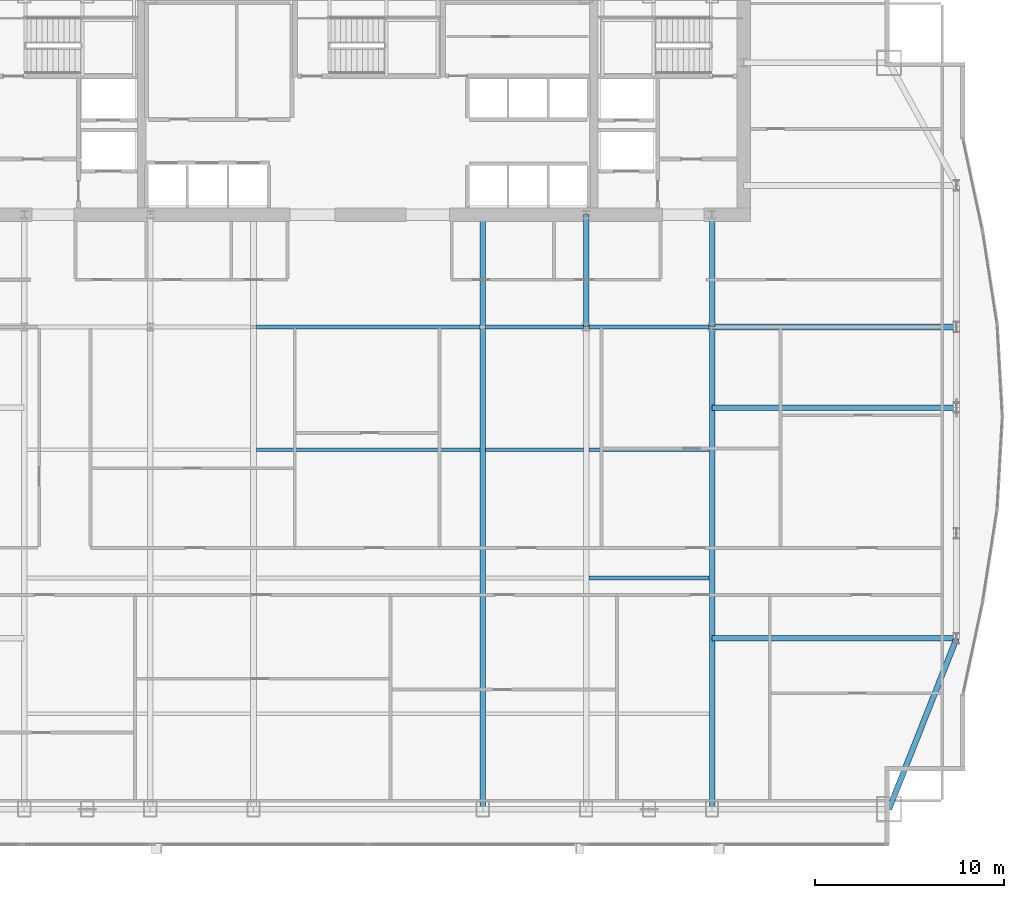
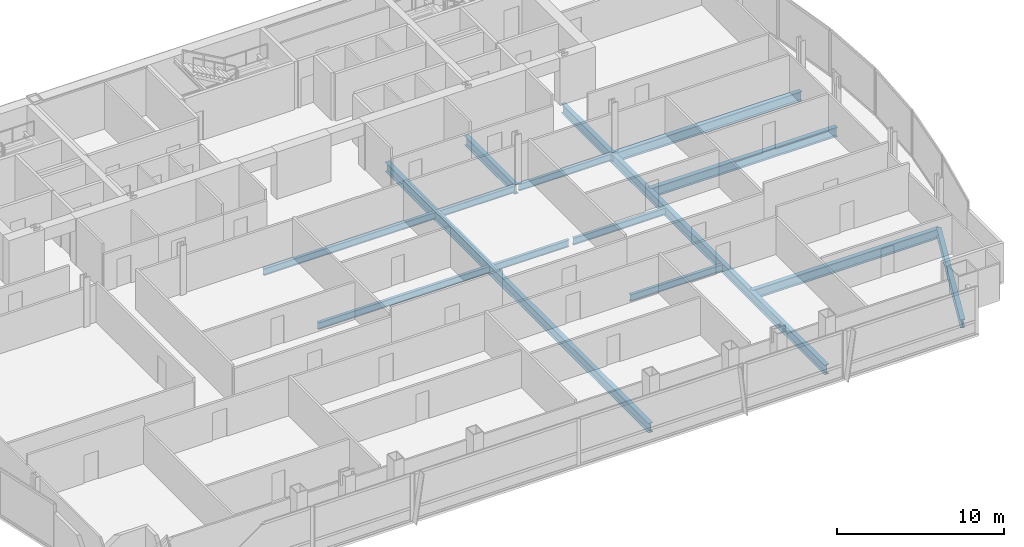
# One storey, part 16 of 29: 15 beams.
"""IFC4 building model written with IfcOpenShell, lengths in metres."""

from ifc_helpers import new_model, si_unit, direction, frame, origin, origin_2d, place, context, subcontext, project, spatial, i_section, extrude, material, material_profile, profile_set, type_object, element, save


model = new_model("IFC4")

# Units and contexts
model_context = context("Model", 3, precision=1e-05, world=origin(), true_north=direction((0.0, 1.0)))
body_context = subcontext(model_context, "Body", "Model", "MODEL_VIEW")
ifc_project = project(units=[si_unit("LENGTHUNIT", "METRE"), si_unit("AREAUNIT", "SQUARE_METRE"), si_unit("VOLUMEUNIT", "CUBIC_METRE"), si_unit("PLANEANGLEUNIT", "RADIAN"), si_unit("MASSUNIT", "GRAM", prefix="KILO")], contexts=[model_context])

# Site, building, storey
site_placement = place(None, origin())
site = spatial("IfcSite", under=ifc_project, at=site_placement, CompositionType="ELEMENT")
building_placement = place(site_placement, origin())
building = spatial("IfcBuilding", under=site, at=building_placement, Name="Khoronbel Lancet Exchange", CompositionType="ELEMENT")
storey_placement = place(building_placement, frame((0.0, 0.0, 165.0)))
storey = spatial("IfcBuildingStorey", under=building, at=storey_placement, Name="L41", CompositionType="ELEMENT", Elevation=165.0)

# Beams
ifc_material = material(Name="Steel S355", Category="steel")
ifc_material_profile_1 = material_profile(ifc_material, i_section(OverallWidth=0.300048828125, OverallDepth=0.699951171875, WebThickness=0.01708984375, FlangeThickness=0.031982421875, at=origin_2d()), Name="HEB 700")
ifc_profile_set_1 = profile_set([ifc_material_profile_1], Name="Steel S355")
beam_type_1 = type_object("IfcBeamType", Name="BM-BG3", PredefinedType="BEAM", material=ifc_profile_set_1)
beam_1_placement = place(storey_placement, frame((42.52490234375, 10.14990234375, -0.510009765625), z_axis=(0.0, 1.0, 0.0), x_axis=(-1.0, 0.0, 0.0)))
element("IfcBeam", 1, at=beam_1_placement, inside=storey, type_object=beam_type_1, Name="Level L41 primary floor girder G4", PredefinedType="BEAM", context=body_context, shape_type="SweptSolid", body=[
    extrude(i_section(OverallWidth=0.300048828125, OverallDepth=0.699951171875, WebThickness=0.01708984375, FlangeThickness=0.031982421875, at=origin_2d()), origin(), (0.0, 0.0, 1.0), 31.5),
])
beam_2_placement = place(storey_placement, frame((48.0, 35.699951171875, -0.510009765625), z_axis=(0.0, 1.0, 0.0), x_axis=(-1.0, 0.0, 0.0)))
element("IfcBeam", 2, at=beam_2_placement, inside=storey, type_object=beam_type_1, Name="Level L41 spine tie girder GN5", PredefinedType="BEAM", context=body_context, shape_type="SweptSolid", body=[
    extrude(i_section(OverallWidth=0.300048828125, OverallDepth=0.699951171875, WebThickness=0.01708984375, FlangeThickness=0.031982421875, at=origin_2d()), origin(), (0.0, 0.0, 1.0), 5.949951171875),
])
beam_3_placement = place(storey_placement, frame((54.675048828125, 10.14990234375, -0.510009765625), z_axis=(0.0, 1.0, 0.0), x_axis=(-1.0, 0.0, 0.0)))
element("IfcBeam", 3, at=beam_3_placement, inside=storey, type_object=beam_type_1, Name="Level L41 south primary girder GS6", PredefinedType="BEAM", context=body_context, shape_type="SweptSolid", body=[
    extrude(i_section(OverallWidth=0.300048828125, OverallDepth=0.699951171875, WebThickness=0.01708984375, FlangeThickness=0.031982421875, at=origin_2d()), origin(), (0.0, 0.0, 1.0), 25.550048828125),
])
beam_4_placement = place(storey_placement, frame((54.675048828125, 35.699951171875, -0.510009765625), z_axis=(0.0, 1.0, 0.0), x_axis=(-1.0, 0.0, 0.0)))
element("IfcBeam", 4, at=beam_4_placement, inside=storey, type_object=beam_type_1, Name="Level L41 spine tie girder GN6", PredefinedType="BEAM", context=body_context, shape_type="SweptSolid", body=[
    extrude(i_section(OverallWidth=0.300048828125, OverallDepth=0.699951171875, WebThickness=0.01708984375, FlangeThickness=0.031982421875, at=origin_2d()), origin(), (0.0, 0.0, 1.0), 5.949951171875),
])
for number, where, z_axis, x_axis, name in (
    (5, (54.675048828125, 19.199951171875, -0.510009765625), (1.0, 0.0, 0.0), (0.0, 1.0, 0.0), "Level L41 east lens tie girder LG1E"),
    (6, (54.675048828125, 31.425048828125, -0.510009765625), (1.0, 0.0, 0.0), (0.0, 1.0, 0.0), "Level L41 east lens tie girder LG2E"),
    (7, (54.675048828125, 35.699951171875, -0.510009765625), (1.0, 0.0, 0.0), (0.0, 1.0, 0.0), "Level L41 east lens tie girder LG4E"),
):
    element("IfcBeam", number, at=place(storey_placement, frame(where, z_axis=z_axis, x_axis=x_axis)), inside=storey, type_object=beam_type_1, Name=name, PredefinedType="BEAM", context=body_context, shape_type="SweptSolid", body=[
        extrude(i_section(OverallWidth=0.300048828125, OverallDepth=0.699951171875, WebThickness=0.01708984375, FlangeThickness=0.031982421875, at=origin_2d()), origin(), (0.0, 0.0, 1.0), 12.954833984375),
    ])
ifc_material_profile_2 = material_profile(ifc_material, i_section(OverallWidth=0.199951171875, OverallDepth=0.5, WebThickness=0.01025390625, FlangeThickness=0.01611328125, at=origin_2d()), Name="IPE 500")
ifc_profile_set_2 = profile_set([ifc_material_profile_2], Name="Steel S355")
beam_type_2 = type_object("IfcBeamType", Name="BM-BJ3", PredefinedType="JOIST", material=ifc_profile_set_2)
beam_5_placement = place(storey_placement, frame((48.14990234375, 22.39990234375, -0.409912109375), z_axis=(1.0, 0.0, 0.0), x_axis=(0.0, 1.0, 0.0)))
element("IfcBeam", 8, at=beam_5_placement, inside=storey, type_object=beam_type_2, Name="Level L41 secondary composite joist J10", PredefinedType="JOIST", context=body_context, shape_type="SweptSolid", body=[
    extrude(i_section(OverallWidth=0.199951171875, OverallDepth=0.5, WebThickness=0.01025390625, FlangeThickness=0.01611328125, at=origin_2d()), origin(), (0.0, 0.0, 1.0), 6.375),
])
beam_6_placement = place(storey_placement, frame((30.52490234375, 29.199951171875, -0.409912109375), z_axis=(1.0, 0.0, 0.0), x_axis=(0.0, 1.0, 0.0)))
element("IfcBeam", 9, at=beam_6_placement, inside=storey, type_object=beam_type_2, Name="Level L41 secondary composite joist J13", PredefinedType="JOIST", context=body_context, shape_type="SweptSolid", body=[
    extrude(i_section(OverallWidth=0.199951171875, OverallDepth=0.5, WebThickness=0.01025390625, FlangeThickness=0.01611328125, at=origin_2d()), origin(), (0.0, 0.0, 1.0), 11.85009765625),
])
beam_7_placement = place(storey_placement, frame((42.675048828125, 29.199951171875, -0.409912109375), z_axis=(1.0, 0.0, 0.0), x_axis=(0.0, 1.0, 0.0)))
element("IfcBeam", 10, at=beam_7_placement, inside=storey, type_object=beam_type_2, Name="Level L41 secondary composite joist J14", PredefinedType="JOIST", context=body_context, shape_type="SweptSolid", body=[
    extrude(i_section(OverallWidth=0.199951171875, OverallDepth=0.5, WebThickness=0.01025390625, FlangeThickness=0.01611328125, at=origin_2d()), origin(), (0.0, 0.0, 1.0), 5.175048828125),
])
beam_8_placement = place(storey_placement, frame((48.14990234375, 29.199951171875, -0.409912109375), z_axis=(1.0, 0.0, 0.0), x_axis=(0.0, 1.0, 0.0)))
element("IfcBeam", 11, at=beam_8_placement, inside=storey, type_object=beam_type_2, Name="Level L41 secondary composite joist J15", PredefinedType="JOIST", context=body_context, shape_type="SweptSolid", body=[
    extrude(i_section(OverallWidth=0.199951171875, OverallDepth=0.5, WebThickness=0.01025390625, FlangeThickness=0.01611328125, at=origin_2d()), origin(), (0.0, 0.0, 1.0), 6.375),
])
beam_9_placement = place(storey_placement, frame((30.52490234375, 35.699951171875, -0.409912109375), z_axis=(1.0, 0.0, 0.0), x_axis=(0.0, 1.0, 0.0)))
element("IfcBeam", 12, at=beam_9_placement, inside=storey, type_object=beam_type_2, Name="Level L41 secondary composite joist J18", PredefinedType="JOIST", context=body_context, shape_type="SweptSolid", body=[
    extrude(i_section(OverallWidth=0.199951171875, OverallDepth=0.5, WebThickness=0.01025390625, FlangeThickness=0.01611328125, at=origin_2d()), origin(), (0.0, 0.0, 1.0), 11.85009765625),
])
beam_10_placement = place(storey_placement, frame((42.675048828125, 35.699951171875, -0.409912109375), z_axis=(1.0, 0.0, 0.0), x_axis=(0.0, 1.0, 0.0)))
element("IfcBeam", 13, at=beam_10_placement, inside=storey, type_object=beam_type_2, Name="Level L41 secondary composite joist J19", PredefinedType="JOIST", context=body_context, shape_type="SweptSolid", body=[
    extrude(i_section(OverallWidth=0.199951171875, OverallDepth=0.5, WebThickness=0.01025390625, FlangeThickness=0.01611328125, at=origin_2d()), origin(), (0.0, 0.0, 1.0), 5.175048828125),
])
beam_11_placement = place(storey_placement, frame((48.14990234375, 35.699951171875, -0.409912109375), z_axis=(1.0, 0.0, 0.0), x_axis=(0.0, 1.0, 0.0)))
element("IfcBeam", 14, at=beam_11_placement, inside=storey, type_object=beam_type_2, Name="Level L41 secondary composite joist J20", PredefinedType="JOIST", context=body_context, shape_type="SweptSolid", body=[
    extrude(i_section(OverallWidth=0.199951171875, OverallDepth=0.5, WebThickness=0.01025390625, FlangeThickness=0.01611328125, at=origin_2d()), origin(), (0.0, 0.0, 1.0), 6.375),
])
ifc_material_profile_3 = material_profile(ifc_material, i_section(OverallWidth=0.300048828125, OverallDepth=0.60009765625, WebThickness=0.015380859375, FlangeThickness=0.030029296875, at=origin_2d()), Name="HEB 600")
ifc_profile_set_3 = profile_set([ifc_material_profile_3], Name="Steel S355")
beam_type_3 = type_object("IfcBeamType", Name="BM-BSP2", PredefinedType="SPANDREL", material=ifc_profile_set_3)
beam_12_placement = place(storey_placement, frame((64.050048828125, 10.14990234375, -0.4599609375), z_axis=(0.367828403855, 0.929893684954, 0.0), x_axis=(-0.929893684954, 0.367828403855, 0.0)))
element("IfcBeam", 15, at=beam_12_placement, inside=storey, type_object=beam_type_3, Name="Level L41 perimeter spandrel beam SP10", PredefinedType="SPANDREL", context=body_context, shape_type="SweptSolid", body=[
    extrude(i_section(OverallWidth=0.300048828125, OverallDepth=0.60009765625, WebThickness=0.015380859375, FlangeThickness=0.030029296875, at=origin_2d()), origin(), (0.0, 0.0, 1.0), 9.732421875),
])

save(model, "model.ifc")
